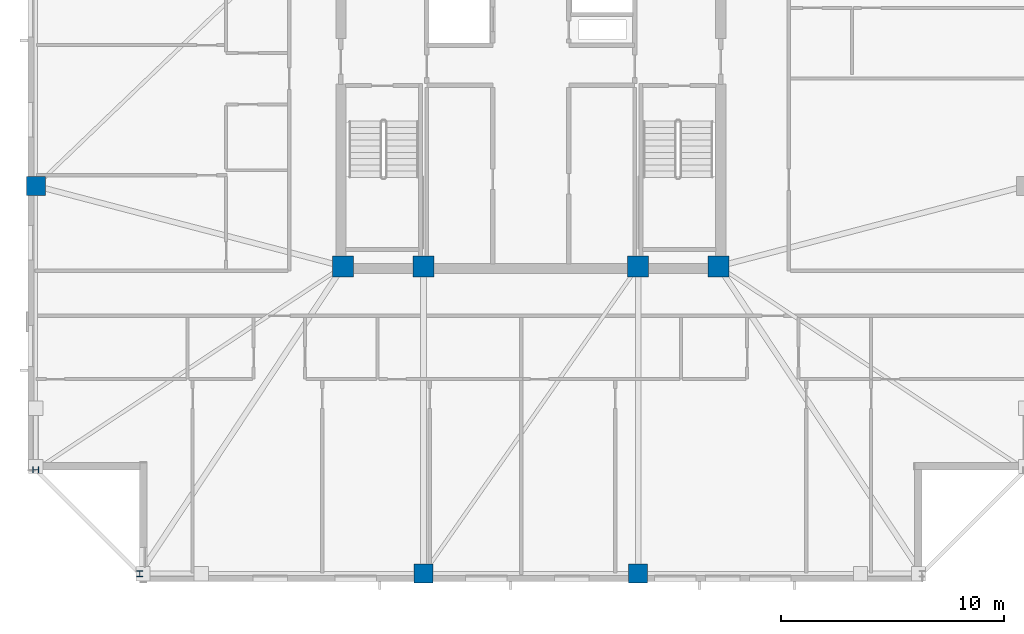
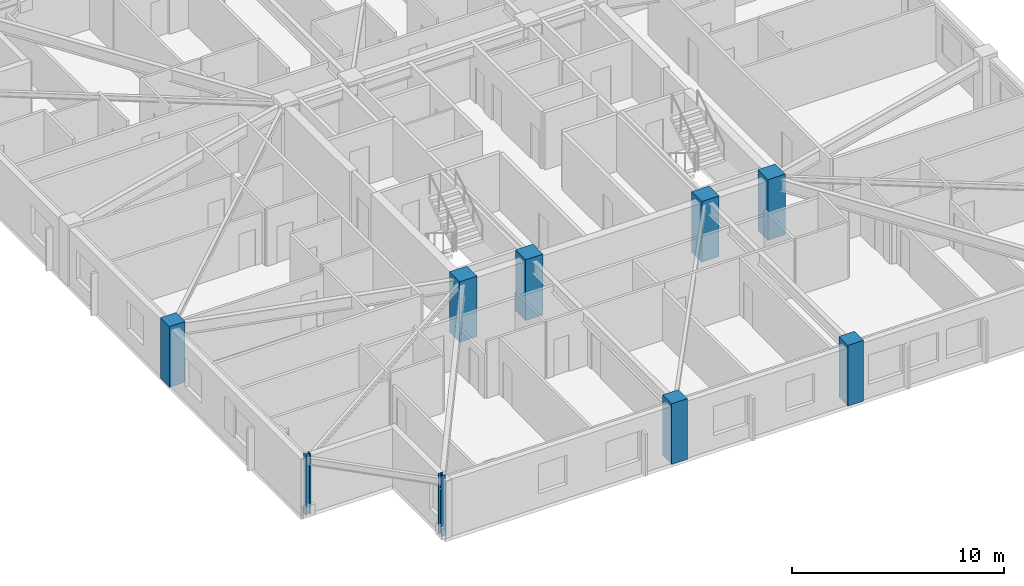
# One storey, part 1 of 17: 9 columns.
"""IFC4 building model written with IfcOpenShell, lengths in metres."""

from ifc_helpers import new_model, si_unit, direction, frame, origin, origin_2d, place, context, subcontext, project, spatial, rectangle, i_section, extrude, material, material_profile, profile_set, type_object, element, save


model = new_model("IFC4")

# Units and contexts
model_context = context("Model", 3, precision=1e-05, world=origin(), true_north=direction((0.0, 1.0)))
body_context = subcontext(model_context, "Body", "Model", "MODEL_VIEW")
ifc_project = project(units=[si_unit("LENGTHUNIT", "METRE"), si_unit("AREAUNIT", "SQUARE_METRE"), si_unit("VOLUMEUNIT", "CUBIC_METRE"), si_unit("PLANEANGLEUNIT", "RADIAN"), si_unit("MASSUNIT", "GRAM", prefix="KILO")], contexts=[model_context])

# Site, building, storey
site_placement = place(None, origin())
site = spatial("IfcSite", under=ifc_project, at=site_placement, CompositionType="ELEMENT")
building_placement = place(site_placement, origin())
building = spatial("IfcBuilding", under=site, at=building_placement, Name="Cairnveth Concourse Tower", CompositionType="ELEMENT")
storey_placement = place(building_placement, frame((0.0, 0.0, 223.5)))
storey = spatial("IfcBuildingStorey", under=building, at=storey_placement, Name="L61", CompositionType="ELEMENT", Elevation=223.5)

# Columns
ifc_material_1 = material(Name="Concrete N65 (65 MPa)", Category="concrete")
ifc_material_profile_1 = material_profile(ifc_material_1, rectangle(XDim=0.949951171875, YDim=0.949951171875, at=origin_2d()), Name="RC-COL-950x950")
ifc_profile_set_1 = profile_set([ifc_material_profile_1], Name="Concrete N65 (65 MPa)")
column_type_1 = type_object("IfcColumnType", Name="CORE COLUMN 950X950", PredefinedType="COLUMN", material=ifc_profile_set_1)
for number, where, z_axis, x_axis, name in (
    (1, (43.60009765625, 30.60009765625, 0.0), (0.0, 0.0, 1.0), (1.0, 0.0, 0.0), "Column CC1 L61"),
    (2, (47.199951171875, 30.60009765625, 0.0), (0.0, 0.0, 1.0), (1.0, 0.0, 0.0), "Column CC2 L61"),
    (3, (56.800048828125, 30.60009765625, 0.0), (0.0, 0.0, 1.0), (1.0, 0.0, 0.0), "Column CC3 L61"),
    (4, (60.39990234375, 30.60009765625, 0.0), (0.0, 0.0, 1.0), (1.0, 0.0, 0.0), "Column CC4 L61"),
):
    element("IfcColumn", number, at=place(storey_placement, frame(where, z_axis=z_axis, x_axis=x_axis)), inside=storey, type_object=column_type_1, Name=name, PredefinedType="COLUMN", context=body_context, shape_type="SweptSolid", body=[
        extrude(rectangle(XDim=0.949951171875, YDim=0.949951171875, at=origin_2d()), origin(), (0.0, 0.0, 1.0), 3.5),
    ])
ifc_material_profile_2 = material_profile(ifc_material_1, rectangle(XDim=0.85009765625, YDim=0.85009765625, at=origin_2d()), Name="RC-COL-850x850")
ifc_profile_set_2 = profile_set([ifc_material_profile_2], Name="Concrete N65 (65 MPa)")
column_type_2 = type_object("IfcColumnType", Name="PERIMETER PIER COLUMN 850X850", PredefinedType="COLUMN", material=ifc_profile_set_2)
for number, where, z_axis, x_axis, name in (
    (5, (47.199951171875, 16.85009765625, 0.0), (0.0, 0.0, 1.0), (1.0, 0.0, 0.0), "Column P-S2 L61"),
    (6, (56.800048828125, 16.85009765625, 0.0), (0.0, 0.0, 1.0), (1.0, 0.0, 0.0), "Column P-S3 L61"),
    (7, (29.85009765625, 34.199951171875, 0.0), (0.0, 0.0, 1.0), (0.0, 1.0, 0.0), "Column P-W3 L61"),
):
    element("IfcColumn", number, at=place(storey_placement, frame(where, z_axis=z_axis, x_axis=x_axis)), inside=storey, type_object=column_type_2, Name=name, PredefinedType="COLUMN", context=body_context, shape_type="SweptSolid", body=[
        extrude(rectangle(XDim=0.85009765625, YDim=0.85009765625, at=origin_2d()), origin(), (0.0, 0.0, 1.0), 3.5),
    ])
ifc_material_2 = material(Name="Steel Grade 350", Category="steel")
ifc_material_profile_3 = material_profile(ifc_material_2, i_section(OverallWidth=0.256103515625, OverallDepth=0.260009765625, WebThickness=0.010498046875, FlangeThickness=0.017333984375, FilletRadius=0.012939453125, at=origin_2d()), Name="250UC89.5")
ifc_profile_set_3 = profile_set([ifc_material_profile_3], Name="Steel Grade 350")
column_type_3 = type_object("IfcColumnType", Name="UNIVERSAL STEEL COLUMN 250UC89.5", PredefinedType="COLUMN", material=ifc_profile_set_3)
for number, where, z_axis, x_axis, name in (
    (8, (34.5, 16.85009765625, 0.0), (0.0, 0.0, 1.0), (1.0, 0.0, 0.0), "Column P-S1 L61"),
    (9, (29.85009765625, 21.5, 0.0), (0.0, 0.0, 1.0), (0.0, 1.0, 0.0), "Column P-W4 L61"),
):
    element("IfcColumn", number, at=place(storey_placement, frame(where, z_axis=z_axis, x_axis=x_axis)), inside=storey, type_object=column_type_3, Name=name, PredefinedType="COLUMN", context=body_context, shape_type="SweptSolid", body=[
        extrude(i_section(OverallWidth=0.256103515625, OverallDepth=0.260009765625, WebThickness=0.010498046875, FlangeThickness=0.017333984375, FilletRadius=0.012939453125, at=origin_2d()), origin(), (0.0, 0.0, 1.0), 3.5),
    ])

save(model, "model.ifc")
